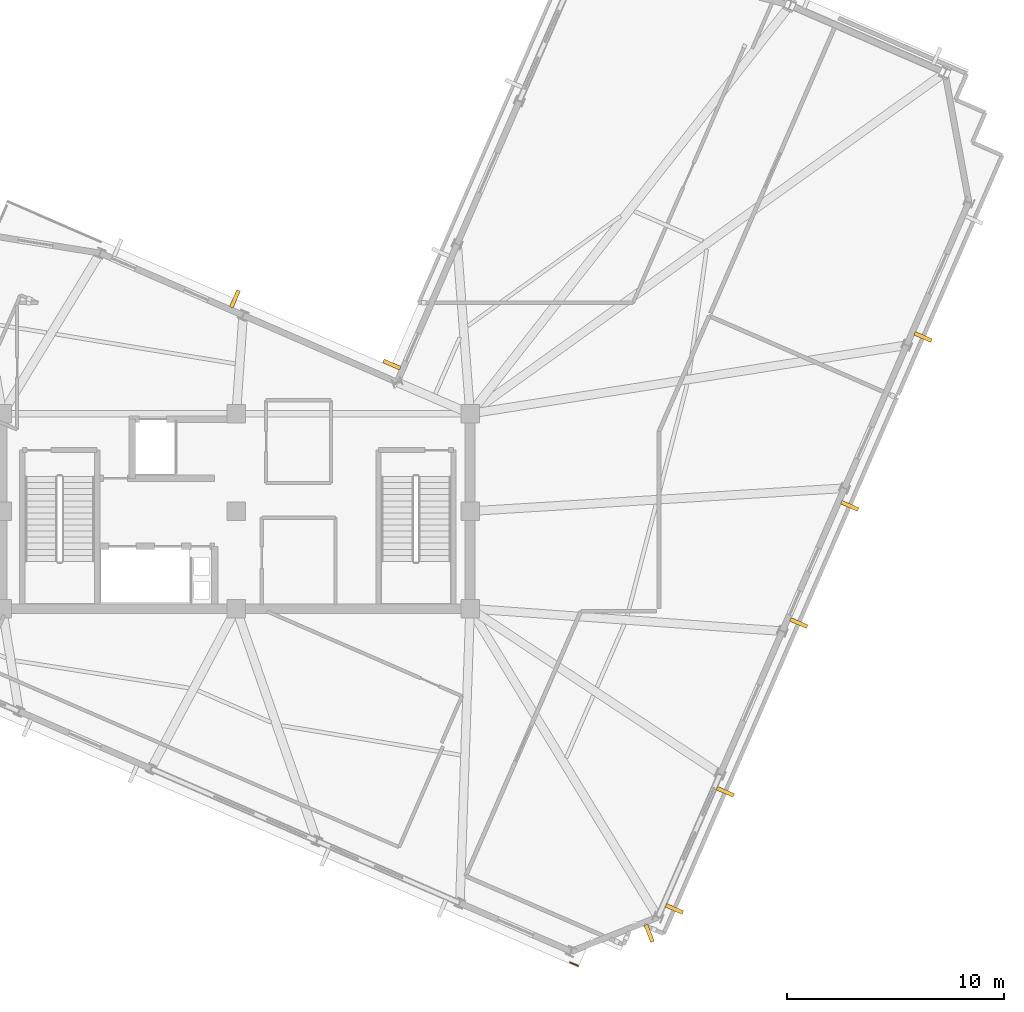
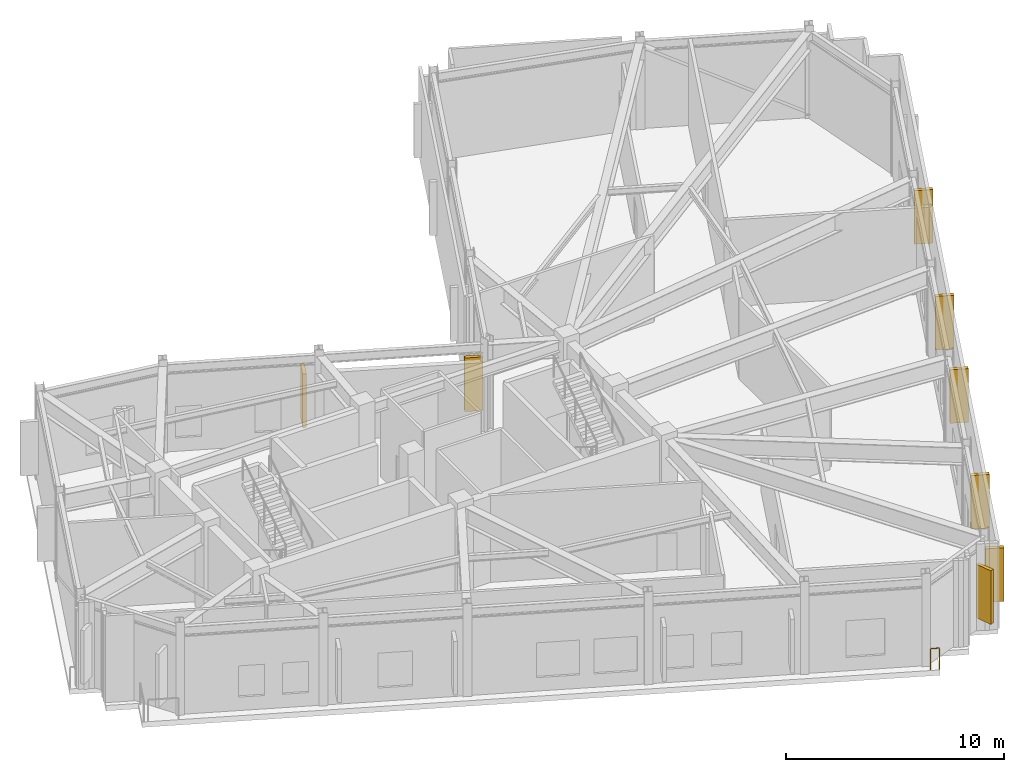
# One storey, part 10 of 12: 8 shading devices, 1 railing.
"""IFC4 building model written with IfcOpenShell, lengths in metres."""

from ifc_helpers import new_model, si_unit, direction, frame, origin, origin_2d, place, context, subcontext, project, spatial, rectangle, circle, extrude, material, layer, layer_set, type_object, element, save


model = new_model("IFC4")

# Units and contexts
model_context = context("Model", 3, precision=1e-05, world=origin(), true_north=direction((0.0, 1.0)))
body_context = subcontext(model_context, "Body", "Model", "MODEL_VIEW")
ifc_project = project(units=[si_unit("LENGTHUNIT", "METRE"), si_unit("AREAUNIT", "SQUARE_METRE"), si_unit("VOLUMEUNIT", "CUBIC_METRE"), si_unit("PLANEANGLEUNIT", "RADIAN"), si_unit("MASSUNIT", "GRAM", prefix="KILO")], contexts=[model_context])

# Site, building, storey
site_placement = place(None, origin())
site = spatial("IfcSite", under=ifc_project, at=site_placement, CompositionType="ELEMENT")
building_placement = place(site_placement, origin())
building = spatial("IfcBuilding", under=site, at=building_placement, Name="Gaonmaruhae Medical Tower", CompositionType="ELEMENT")
storey_placement = place(building_placement, frame((0.0, 0.0, 342.60009765625)))
storey = spatial("IfcBuildingStorey", under=building, at=storey_placement, Name="L82", CompositionType="ELEMENT", Elevation=342.60009765625)

# Railing
ifc_material_1 = material(Name="Stainless steel 316L and laminated safety glass", Category="steel")
ifc_layer = layer(ifc_material_1, 0.080078125)
ifc_layer_set = layer_set([ifc_layer], Name="Stainless steel 316L and laminated safety glass")
railing_type = type_object("IfcRailingType", Name="GD-120 Outdoor Terrace Safety Glass & Steel Balustrade", PredefinedType="BALUSTRADE", material=ifc_layer_set)
railing_placement = place(storey_placement, frame((40.218017578125, -8.53369140625, 0.0)))
element("IfcRailing", 1, at=railing_placement, inside=storey, type_object=railing_type, Name="L82 Perimeter Slab Edge Safety Balustrade 08", PredefinedType="BALUSTRADE", context=body_context, shape_type="SweptSolid", body=[
    extrude(circle(Radius=0.02392578125, at=origin_2d()), frame((0.0, 0.0, 1.17578125), z_axis=(0.917144149628, -0.398555653333, 0.0), x_axis=(0.398555653333, 0.917144149628, 0.0)), (0.0, 0.0, 1.0), 0.4189453125),
    extrude(circle(Radius=0.02099609375, at=origin_2d()), origin(), (0.0, 0.0, 1.0), 1.15185546875),
    extrude(circle(Radius=0.02099609375, at=origin_2d()), frame((0.38427734375, -0.1669921875, 0.0)), (0.0, 0.0, 1.0), 1.15185546875),
])

# Shading devices
ifc_material_2 = material(Name="Pigmented coral precast concrete C45/55", Category="concrete")
shading_device_type = type_object("IfcShadingDeviceType", Name="SD-FIN1 Tower Vertical Coral Precast Shading Fin", PredefinedType="USERDEFINED", material=ifc_material_2)
for number, where, z_axis, x_axis, name in (
    (2, (47.38671875, -0.658935546875, 0.66748046875), (0.0, 0.0, 1.0), (-0.398749068925, -0.917060074385, 0.0), "L82 Vertical Coral Precast Shading Fin S01"),
    (3, (45.0341796875, -6.069580078125, 0.66748046875), (0.0, 0.0, 1.0), (-0.398749068925, -0.917060074385, 0.0), "L82 Vertical Coral Precast Shading Fin S01B"),
    (4, (53.128662109375, 12.546630859375, 0.66748046875), (0.0, 0.0, 1.0), (-0.398749068925, -0.917060074385, 0.0), "L82 Vertical Coral Precast Shading Fin S03"),
    (5, (50.776123046875, 7.135986328125, 0.66748046875), (0.0, 0.0, 1.0), (-0.398749068925, -0.917060074385, 0.0), "L82 Vertical Coral Precast Shading Fin S03B"),
    (6, (56.51806640625, 20.341796875, 0.66748046875), (0.0, 0.0, 1.0), (-0.398749068925, -0.917060074385, 0.0), "L82 Vertical Coral Precast Shading Fin S05B"),
    (7, (31.985595703125, 19.068359375, 0.66748046875), (0.0, 0.0, 1.0), (0.398749068925, 0.917060074385, 0.0), "L82 Vertical Coral Precast Shading Fin EN02"),
    (8, (24.740234375, 22.104248046875, 0.66748046875), (0.0, 0.0, 1.0), (0.91706703373, -0.398733063147, 0.0), "L82 Vertical Coral Precast Shading Fin NE01B"),
    (9, (43.8701171875, -7.193603515625, 0.66748046875), (0.0, 0.0, 1.0), (-0.930411171187, -0.366517465518, 0.0), "L82 Vertical Coral Precast Shading Fin W06"),
):
    element("IfcShadingDevice", number, at=place(storey_placement, frame(where, z_axis=z_axis, x_axis=x_axis)), inside=storey, type_object=shading_device_type, Name=name, ObjectType="FIN", PredefinedType="USERDEFINED", context=body_context, shape_type="SweptSolid", body=[
        extrude(rectangle(XDim=0.179931640625, YDim=0.85009765625, at=origin_2d()), origin(), (0.0, 0.0, 1.0), 3.0),
    ])

save(model, "model.ifc")
